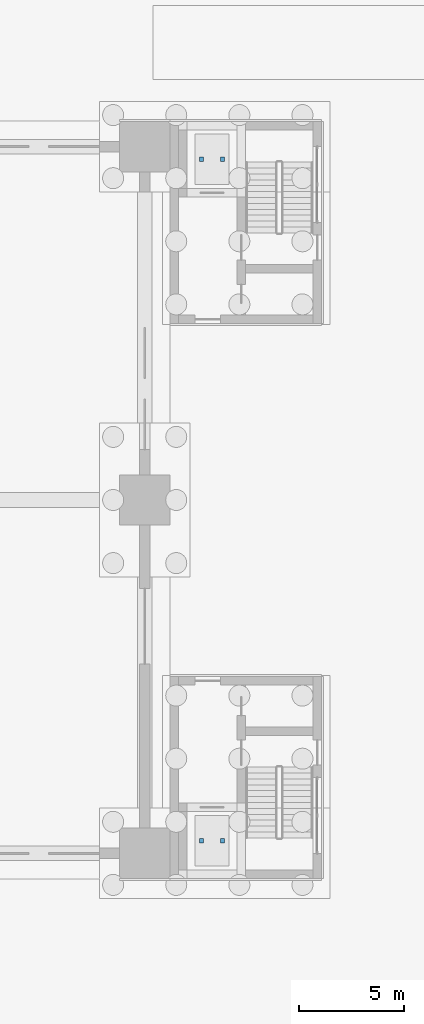
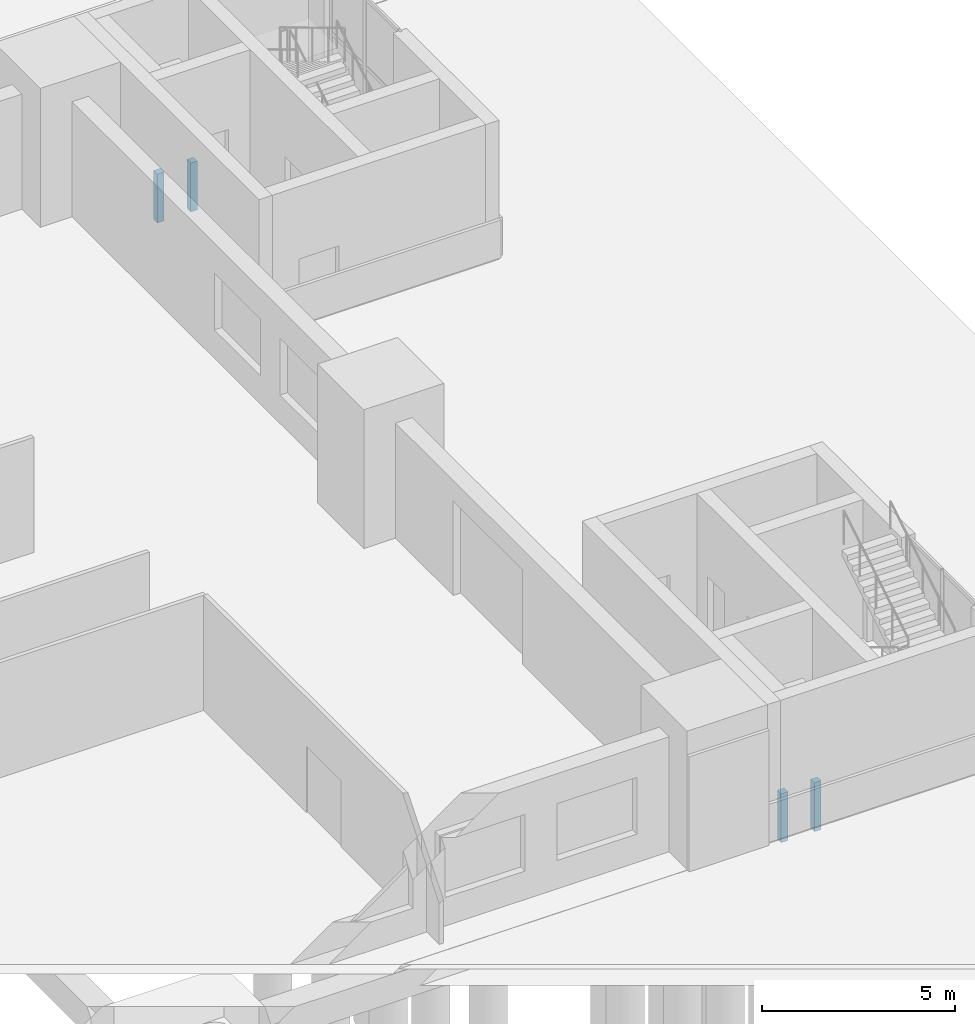
# One storey, part 96 of 139: 4 discrete accessories.
"""IFC4 building model written with IfcOpenShell, lengths in metres."""

import ifcopenshell
import ifcopenshell.guid

model = None  # the IFC model being written
_history = None  # IfcOwnerHistory: only IFC2X3 demands one
_inside = {}  # id of a spatial element -> (the spatial element, [elements in it])
_under = {}  # id of a project, library or spatial element -> (it, [spatial elements below it])
_declared = {}  # id of a project -> (the project, [libraries it declares])
_typed = {}  # id of a type object -> (the type object, [elements of that type])
_made_of = {}  # id of a material, layer set ... -> (it, [elements and type objects made of it])


def new_model(schema):
    """Start an empty IFC model of exactly this schema.

    Asked for "IFC4X3", IfcOpenShell would pick the latest addendum, in which some entities
    have other attributes; the version numbers below select the first issue.
    IFC2X3 requires an IfcOwnerHistory on every rooted entity: one is made here for all.
    """
    global model, _history
    if schema == "IFC4X3":
        model = ifcopenshell.file(schema_version=(4, 3, 0, 0))
    else:
        model = ifcopenshell.file(schema=schema)
    _inside.clear()
    _under.clear()
    _declared.clear()
    _typed.clear()
    _made_of.clear()
    _history = None
    if model.schema == "IFC2X3":
        org = make("IfcOrganization", Name="unknown")
        user = make(
            "IfcPersonAndOrganization",
            ThePerson=make("IfcPerson", FamilyName="unknown"),
            TheOrganization=org,
        )
        app = make(
            "IfcApplication",
            ApplicationDeveloper=org,
            Version="unknown",
            ApplicationFullName="unknown",
            ApplicationIdentifier="unknown",
        )
        _history = make(
            "IfcOwnerHistory",
            OwningUser=user,
            OwningApplication=app,
            ChangeAction="ADDED",
            CreationDate=0,
        )
    return model


def make(cls, **values):
    """One entity of the class cls with the attributes given. An attribute that is None is left unset."""
    return model.create_entity(
        cls, **{name: value for name, value in values.items() if value is not None}
    )


def rooted(cls, **values):
    """An entity with a GlobalId (a new one), such as an element, a storey or a relation."""
    return make(cls, GlobalId=ifcopenshell.guid.new(), OwnerHistory=_history, **values)


def si_unit(unit_type, name, prefix=None):
    """IfcSIUnit, for example si_unit("LENGTHUNIT", "METRE", prefix="MILLI")."""
    return make("IfcSIUnit", UnitType=unit_type, Prefix=prefix, Name=name)


def assignment(units):
    """IfcUnitAssignment: the units of a project."""
    return None if units is None else make("IfcUnitAssignment", Units=units)


def point(xyz):
    """IfcCartesianPoint."""
    return None if xyz is None else make("IfcCartesianPoint", Coordinates=xyz)


def direction(xyz):
    """IfcDirection."""
    return None if xyz is None else make("IfcDirection", DirectionRatios=xyz)


def frame(location, z_axis=None, x_axis=None):
    """IfcAxis2Placement3D, a coordinate frame: its origin and axes. An axis left out is left unset."""
    return make(
        "IfcAxis2Placement3D",
        Location=point(location),
        Axis=direction(z_axis),
        RefDirection=direction(x_axis),
    )


def frame_2d(location, x_axis=None):
    """IfcAxis2Placement2D, a coordinate frame in the plane: its origin and x axis."""
    return make(
        "IfcAxis2Placement2D", Location=point(location), RefDirection=direction(x_axis)
    )


def origin():
    """The frame at (0, 0, 0) with its axes left unset."""
    return frame((0.0, 0.0, 0.0))


def origin_2d():
    """The frame at (0, 0) in the plane with its x axis left unset."""
    return frame_2d((0.0, 0.0))


def place(relative_to, where):
    """IfcLocalPlacement: puts the frame where relative to a parent placement (None: the world)."""
    return make(
        "IfcLocalPlacement", PlacementRelTo=relative_to, RelativePlacement=where
    )


def context(
    kind, dimensions, precision=None, world=None, true_north=None, identifier=None
):
    """IfcGeometricRepresentationContext, for example the 3D "Model" context."""
    return make(
        "IfcGeometricRepresentationContext",
        ContextIdentifier=identifier,
        ContextType=kind,
        CoordinateSpaceDimension=dimensions,
        Precision=precision,
        WorldCoordinateSystem=world,
        TrueNorth=true_north,
    )


def subcontext(parent, identifier, kind, view, scale=None):
    """IfcGeometricRepresentationSubContext, for example "Body" below "Model"."""
    return make(
        "IfcGeometricRepresentationSubContext",
        ContextIdentifier=identifier,
        ContextType=kind,
        ParentContext=parent,
        TargetScale=scale,
        TargetView=view,
    )


def project(units=None, contexts=None):
    """IfcProject with its units and contexts."""
    return rooted(
        "IfcProject",
        Name="project",
        RepresentationContexts=contexts,
        UnitsInContext=assignment(units),
    )


def spatial(cls, under=None, at=None, **own):
    """A site, building, storey or space (cls), placed at a placement, below another one or the project."""
    s = rooted(cls, ObjectPlacement=at, **own)
    if under is not None:
        _under.setdefault(under.id(), (under, []))[1].append(s)
    return s


def profile(cls, at=None, kind="AREA", **sizes):
    """A parametric profile (cls). Its sizes go by their IFC names, for example OverallWidth=200.0."""
    return make(cls, ProfileType=kind, Position=at, **sizes)


def rectangle(**sizes):
    """IfcRectangleProfileDef."""
    return profile("IfcRectangleProfileDef", **sizes)


def extrude(swept, where, along, depth):
    """IfcExtrudedAreaSolid: the profile swept, set in the frame where, extruded along a direction by depth."""
    return make(
        "IfcExtrudedAreaSolid",
        SweptArea=swept,
        Position=where,
        ExtrudedDirection=direction(along),
        Depth=depth,
    )


def shape(context_of_items, identifier, shape_type, items):
    """IfcShapeRepresentation: the items that make up one representation, for example the "Body"."""
    return make(
        "IfcShapeRepresentation",
        ContextOfItems=context_of_items,
        RepresentationIdentifier=identifier,
        RepresentationType=shape_type,
        Items=items,
    )


def material(Name=None, Category=None):
    """IfcMaterial."""
    return make("IfcMaterial", Name=Name, Category=Category)


def made_of(thing, what):
    """Note that an element or type object is made of a material, layer set ...; save() writes the relation."""
    if what is not None:
        _made_of.setdefault(what.id(), (what, []))[1].append(thing)
    return thing


def type_object(cls, material=None, **own):
    """A type object (cls), such as IfcWallType, which elements share."""
    return made_of(rooted(cls, **own), material)


def element(
    cls,
    number,
    at=None,
    inside=None,
    cuts=None,
    type_object=None,
    material=None,
    context=None,
    identifier="Body",
    shape_type=None,
    held_by="IfcProductDefinitionShape",
    body=None,
    shapes=None,
    **own,
):
    """One element of the class cls, such as IfcWall. Its Tag is "e" and its number.

    at: its placement. inside: the storey or other place that contains it. cuts: it is an
    opening in that element (IfcRelVoidsElement). A single representation is given by context,
    identifier, shape_type and body (its items); several are given by shapes. held_by: the class
    of the entity that holds the representations. save() writes the other relations.
    """
    e = rooted(cls, Tag="e%d" % number, ObjectPlacement=at, **own)
    if body is not None:
        shapes = [shape(context, identifier, shape_type, body)]
    if shapes is not None:
        e.Representation = make(held_by, Representations=shapes)
    if inside is not None:
        _inside.setdefault(inside.id(), (inside, []))[1].append(e)
    if cuts is not None:
        rooted(
            "IfcRelVoidsElement", RelatingBuildingElement=cuts, RelatedOpeningElement=e
        )
    if type_object is not None:
        _typed.setdefault(type_object.id(), (type_object, []))[1].append(e)
    return made_of(e, material)


def aggregate(whole, parts):
    """IfcRelAggregates: a whole, such as a stair, and the parts it consists of."""
    return rooted("IfcRelAggregates", RelatingObject=whole, RelatedObjects=parts)


def save(model, path):
    """Write the relations noted so far, then the file.

    IfcRelAggregates (storeys below a building ...), IfcRelContainedInSpatialStructure (elements
    in a storey), IfcRelDefinesByType, IfcRelAssociatesMaterial and IfcRelDeclares: one each for
    every whole, place, type object, material and project.
    """
    for whole, parts in _under.values():
        aggregate(whole, parts)
    for where, things in _inside.values():
        rooted(
            "IfcRelContainedInSpatialStructure",
            RelatedElements=things,
            RelatingStructure=where,
        )
    for kind, things in _typed.values():
        rooted("IfcRelDefinesByType", RelatedObjects=things, RelatingType=kind)
    for what, things in _made_of.values():
        rooted("IfcRelAssociatesMaterial", RelatedObjects=things, RelatingMaterial=what)
    for by, libraries in _declared.values():
        rooted("IfcRelDeclares", RelatingContext=by, RelatedDefinitions=libraries)
    model.write(path)


model = new_model("IFC4")

# Units and contexts
model_context = context("Model", 3, precision=1e-05, world=origin(), true_north=direction((0.0, 1.0)))
body_context = subcontext(model_context, "Body", "Model", "MODEL_VIEW")
ifc_project = project(units=[si_unit("LENGTHUNIT", "METRE"), si_unit("AREAUNIT", "SQUARE_METRE"), si_unit("VOLUMEUNIT", "CUBIC_METRE"), si_unit("PLANEANGLEUNIT", "RADIAN"), si_unit("MASSUNIT", "GRAM", prefix="KILO")], contexts=[model_context])

# Site, building, storey
site_placement = place(None, origin())
site = spatial("IfcSite", under=ifc_project, at=site_placement, CompositionType="ELEMENT")
building_placement = place(site_placement, origin())
building = spatial("IfcBuilding", under=site, at=building_placement, Name="Verrick Yard Athletic Hall", CompositionType="ELEMENT")
storey_placement = place(building_placement, origin())
storey = spatial("IfcBuildingStorey", under=building, at=storey_placement, Name="L00", CompositionType="ELEMENT", Elevation=0.0)

# Discrete accessories
ifc_material = material(Name="Stainless steel", Category="steel")
discrete_accessory_type = type_object("IfcDiscreteAccessoryType", Name="Lift buffer stand", PredefinedType="BRACKET", material=ifc_material)
for number, where, z_axis, x_axis, name in (
    (1, (160.300048828125, 19.800048828125, -1.5), (0.0, 0.0, 1.0), (1.0, 0.0, 0.0), "Buffer stand Plinth south-east 1"),
    (2, (161.300048828125, 19.800048828125, -1.5), (0.0, 0.0, 1.0), (1.0, 0.0, 0.0), "Buffer stand Plinth south-east 2"),
    (3, (160.300048828125, 52.199951171875, -1.5), (0.0, 0.0, 1.0), (1.0, 0.0, 0.0), "Buffer stand Plinth north-east 1"),
    (4, (161.300048828125, 52.199951171875, -1.5), (0.0, 0.0, 1.0), (1.0, 0.0, 0.0), "Buffer stand Plinth north-east 2"),
):
    element("IfcDiscreteAccessory", number, at=place(storey_placement, frame(where, z_axis=z_axis, x_axis=x_axis)), inside=storey, type_object=discrete_accessory_type, Name=name, PredefinedType="BRACKET", context=body_context, shape_type="SweptSolid", body=[
        extrude(rectangle(XDim=0.199951171875, YDim=0.199951171875, at=origin_2d()), origin(), (0.0, 0.0, 1.0), 1.550048828125),
    ])

save(model, "model.ifc")
